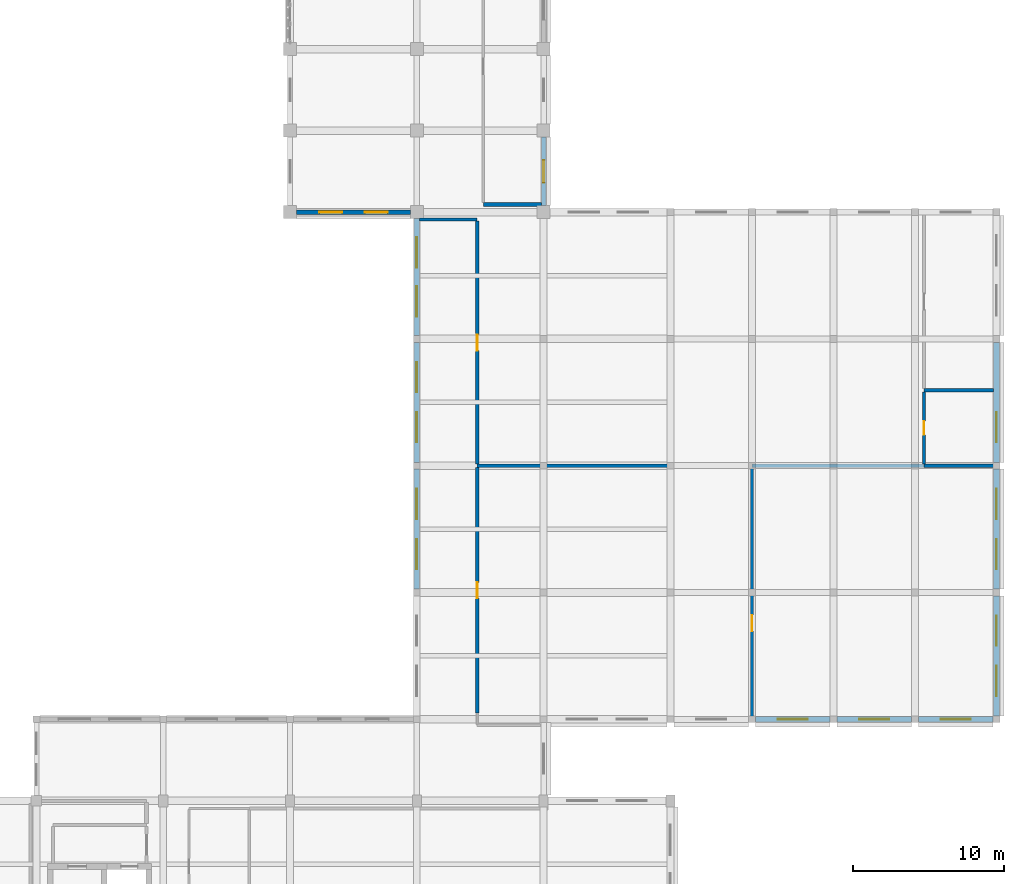
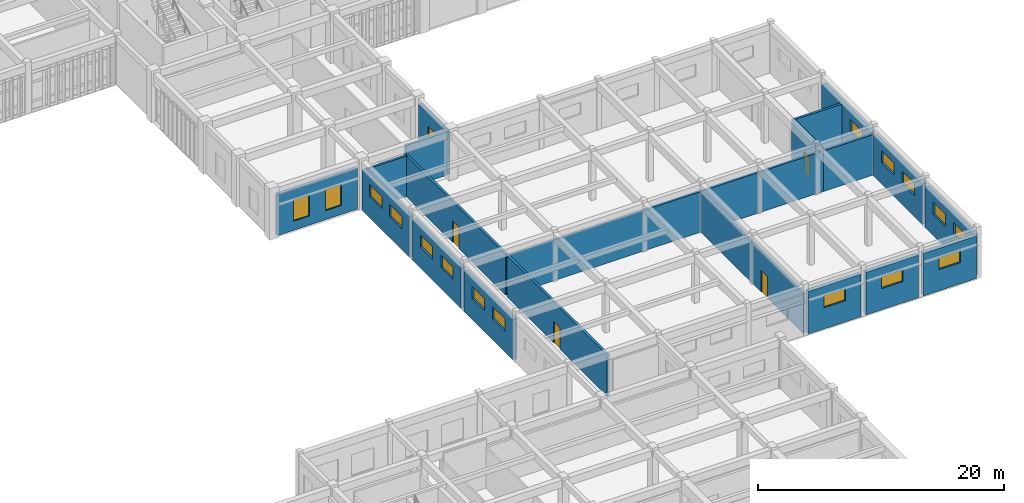
# One storey, part 94 of 106: 21 walls, 17 windows, 4 doors, 21 openings.
"""IFC4 building model written with IfcOpenShell, lengths in metres."""

from ifc_helpers import new_model, si_unit, direction, frame, frame_2d, origin, place, context, subcontext, project, spatial, rectangle, extrude, material, layer, layer_set, type_object, element, fill, save


model = new_model("IFC4")

# Units and contexts
model_context = context("Model", 3, precision=1e-05, world=origin(), true_north=direction((0.0, 1.0)))
body_context = subcontext(model_context, "Body", "Model", "MODEL_VIEW")
ifc_project = project(units=[si_unit("LENGTHUNIT", "METRE"), si_unit("AREAUNIT", "SQUARE_METRE"), si_unit("VOLUMEUNIT", "CUBIC_METRE"), si_unit("PLANEANGLEUNIT", "RADIAN"), si_unit("MASSUNIT", "GRAM", prefix="KILO")], contexts=[model_context])

# Site, building, storey
site_placement = place(None, origin())
site = spatial("IfcSite", under=ifc_project, at=site_placement, CompositionType="ELEMENT")
building_placement = place(site_placement, origin())
building = spatial("IfcBuilding", under=site, at=building_placement, Name="Krzemoval Escarpment Law Courts", CompositionType="ELEMENT")
storey_placement = place(building_placement, frame((0.0, 0.0, 5.10009765625)))
storey = spatial("IfcBuildingStorey", under=building, at=storey_placement, Name="L01", CompositionType="ELEMENT", Elevation=5.10009765625)

# Wall, opening, window
ifc_material_1 = material(Name="Precast concrete C40/50", Category="concrete")
ifc_layer_1 = layer(ifc_material_1, 0.300048828125)
ifc_layer_set_1 = layer_set([ifc_layer_1], Name="Precast concrete C40/50")
wall_type_1 = type_object("IfcWallType", Name="WL-EXT-300", PredefinedType="SOLIDWALL", material=ifc_layer_set_1)
wall_1_placement = place(storey_placement, frame((142.800048828125, 79.375, 0.0), z_axis=(0.0, 0.0, 1.0), x_axis=(0.0, -1.0, 0.0)))
wall_1 = element("IfcWall", 1, at=wall_1_placement, inside=storey, type_object=wall_type_1, Name="Exterior Wall EW-L01-0205", PredefinedType="SOLIDWALL", context=body_context, shape_type="SweptSolid", body=[
    extrude(rectangle(XDim=4.550048828125, YDim=0.300048828125, at=frame_2d((2.27490234375, 0.0))), origin(), (0.0, 0.0, 1.0), 4.27001953125),
])
opening_1_placement = place(wall_1_placement, frame((1.52490234375, 0.0, 0.89990234375)))
opening_1 = element("IfcOpeningElement", 2, at=opening_1_placement, cuts=wall_1, Name="Opening WN-L01-0197", PredefinedType="OPENING", context=body_context, shape_type="SweptSolid", body=[
    extrude(rectangle(XDim=1.5, YDim=2.10009765625, at=frame_2d((0.75, 1.050048828125))), frame((0.0, 0.16502, 0.0), z_axis=(0.0, -1.0, 0.0), x_axis=(1.0, 0.0, 0.0)), (0.0, 0.0, 1.0), 0.33005),
])
ifc_material_2 = material(Name="Thermally Broken Aluminium Frame with Triple Low-E Acoustic Glass", Category="aluminium")
window_type_1 = type_object("IfcWindowType", Name="WN-1500x2100", PartitioningType="SINGLE_PANEL", PredefinedType="WINDOW", material=ifc_material_2)
window_1_placement = place(opening_1_placement, origin())
window_1 = element("IfcWindow", 3, at=window_1_placement, inside=storey, type_object=window_type_1, Name="Facade Window WN-L01-0197", OverallHeight=2.10009765625, OverallWidth=1.5, PartitioningType="SINGLE_PANEL", PredefinedType="WINDOW", context=body_context, shape_type="SweptSolid", body=[
    extrude(rectangle(XDim=1.5, YDim=2.10009765625, at=frame_2d((0.75, 1.050048828125))), frame((0.0, 0.030029296875, 0.0), z_axis=(0.0, -1.0, 0.0), x_axis=(1.0, 0.0, 0.0)), (0.0, 0.0, 1.0), 0.06005859375),
])
fill(opening_1, window_1)

# Wall, openings, windows
wall_2_placement = place(storey_placement, frame((133.97509765625, 74.39990234375, 0.0), z_axis=(0.0, 0.0, 1.0), x_axis=(-1.0, 0.0, 0.0)))
wall_2 = element("IfcWall", 4, at=wall_2_placement, inside=storey, type_object=wall_type_1, Name="Exterior Wall EW-L01-0253", PredefinedType="SOLIDWALL", context=body_context, shape_type="SweptSolid", body=[
    extrude(rectangle(XDim=7.550048828125, YDim=0.300048828125, at=frame_2d((3.77490234375, 0.0))), origin(), (0.0, 0.0, 1.0), 4.06982421875),
])
opening_2_placement = place(wall_2_placement, frame((1.51708984375, 0.0, 0.89990234375)))
opening_2 = element("IfcOpeningElement", 5, at=opening_2_placement, cuts=wall_2, Name="Opening WN-L01-0269", PredefinedType="OPENING", context=body_context, shape_type="SweptSolid", body=[
    extrude(rectangle(XDim=1.5, YDim=2.10009765625, at=frame_2d((0.75, 1.050048828125))), frame((0.0, 0.16502, 0.0), z_axis=(0.0, -1.0, 0.0), x_axis=(1.0, 0.0, 0.0)), (0.0, 0.0, 1.0), 0.33005),
])
opening_3_placement = place(wall_2_placement, frame((4.532958984375, 0.0, 0.89990234375)))
opening_3 = element("IfcOpeningElement", 6, at=opening_3_placement, cuts=wall_2, Name="Opening WN-L01-0270", PredefinedType="OPENING", context=body_context, shape_type="SweptSolid", body=[
    extrude(rectangle(XDim=1.5, YDim=2.10009765625, at=frame_2d((0.75, 1.050048828125))), frame((0.0, 0.16502, 0.0), z_axis=(0.0, -1.0, 0.0), x_axis=(1.0, 0.0, 0.0)), (0.0, 0.0, 1.0), 0.33005),
])
window_2_placement = place(opening_2_placement, origin())
window_2 = element("IfcWindow", 7, at=window_2_placement, inside=storey, type_object=window_type_1, Name="Facade Window WN-L01-0269", OverallHeight=2.10009765625, OverallWidth=1.5, PartitioningType="SINGLE_PANEL", PredefinedType="WINDOW", context=body_context, shape_type="SweptSolid", body=[
    extrude(rectangle(XDim=1.5, YDim=2.10009765625, at=frame_2d((0.75, 1.050048828125))), frame((0.0, 0.030029296875, 0.0), z_axis=(0.0, -1.0, 0.0), x_axis=(1.0, 0.0, 0.0)), (0.0, 0.0, 1.0), 0.06005859375),
])
fill(opening_2, window_2)
window_3_placement = place(opening_3_placement, origin())
window_3 = element("IfcWindow", 8, at=window_3_placement, inside=storey, type_object=window_type_1, Name="Facade Window WN-L01-0270", OverallHeight=2.10009765625, OverallWidth=1.5, PartitioningType="SINGLE_PANEL", PredefinedType="WINDOW", context=body_context, shape_type="SweptSolid", body=[
    extrude(rectangle(XDim=1.5, YDim=2.10009765625, at=frame_2d((0.75, 1.050048828125))), frame((0.0, 0.030029296875, 0.0), z_axis=(0.0, -1.0, 0.0), x_axis=(1.0, 0.0, 0.0)), (0.0, 0.0, 1.0), 0.06005859375),
])
fill(opening_3, window_3)

# Wall, opening, window
ifc_material_3 = material(Name="Concrete C40/50", Category="concrete")
ifc_layer_2 = layer(ifc_material_3, 0.3798828125)
ifc_layer_set_2 = layer_set([ifc_layer_2], Name="Concrete C40/50")
wall_type_2 = type_object("IfcWallType", Name="WL-EXT-380", PredefinedType="SOLIDWALL", material=ifc_layer_set_2)
wall_3_placement = place(storey_placement, frame((172.800048828125, 65.77490234375, 0.0), z_axis=(0.0, 0.0, 1.0), x_axis=(0.0, -1.0, 0.0)))
wall_3 = element("IfcWall", 9, at=wall_3_placement, inside=storey, type_object=wall_type_2, Name="Exterior Wall EW-L01-0212", PredefinedType="SOLIDWALL", context=body_context, shape_type="SweptSolid", body=[
    extrude(rectangle(XDim=7.949951171875, YDim=0.3798828125, at=frame_2d((3.97509765625, 0.0))), origin(), (0.0, 0.0, 1.0), 4.02001953125),
])
opening_4_placement = place(wall_3_placement, frame((4.633056640625, 0.0, 2.10009765625)))
opening_4 = element("IfcOpeningElement", 10, at=opening_4_placement, cuts=wall_3, Name="Opening WN-L01-0206", PredefinedType="OPENING", context=body_context, shape_type="SweptSolid", body=[
    extrude(rectangle(XDim=2.0, YDim=1.199951171875, at=frame_2d((1.0, 0.60009765625))), frame((0.0, 0.20494, 0.0), z_axis=(0.0, -1.0, 0.0), x_axis=(1.0, 0.0, 0.0)), (0.0, 0.0, 1.0), 0.40988),
])
ifc_material_4 = material(Name="Thermally Broken Aluminium Frame with Triple Low-E Acoustic Glass", Category="aluminium")
window_type_2 = type_object("IfcWindowType", Name="WN-2000x1200", PartitioningType="SINGLE_PANEL", PredefinedType="WINDOW", material=ifc_material_4)
window_4_placement = place(opening_4_placement, origin())
window_4 = element("IfcWindow", 11, at=window_4_placement, inside=storey, type_object=window_type_2, Name="Facade Window WN-L01-0206", OverallHeight=1.199951171875, OverallWidth=2.0, PartitioningType="SINGLE_PANEL", PredefinedType="WINDOW", context=body_context, shape_type="SweptSolid", body=[
    extrude(rectangle(XDim=2.0, YDim=1.199951171875, at=frame_2d((1.0, 0.60009765625))), frame((0.0, 0.030029296875, 0.0), z_axis=(0.0, -1.0, 0.0), x_axis=(1.0, 0.0, 0.0)), (0.0, 0.0, 1.0), 0.06005859375),
])
fill(opening_4, window_4)

# Wall, openings, windows
wall_4_placement = place(storey_placement, frame((172.800048828125, 57.375, 0.0), z_axis=(0.0, 0.0, 1.0), x_axis=(0.0, -1.0, 0.0)))
wall_4 = element("IfcWall", 12, at=wall_4_placement, inside=storey, type_object=wall_type_2, Name="Exterior Wall EW-L01-0213", PredefinedType="SOLIDWALL", context=body_context, shape_type="SweptSolid", body=[
    extrude(rectangle(XDim=7.949951171875, YDim=0.3798828125, at=frame_2d((3.97509765625, 0.0))), origin(), (0.0, 0.0, 1.0), 4.02001953125),
])
opening_5_placement = place(wall_4_placement, frame((1.31689453125, 0.0, 2.10009765625)))
opening_5 = element("IfcOpeningElement", 13, at=opening_5_placement, cuts=wall_4, Name="Opening WN-L01-0207", PredefinedType="OPENING", context=body_context, shape_type="SweptSolid", body=[
    extrude(rectangle(XDim=2.0, YDim=1.199951171875, at=frame_2d((1.0, 0.60009765625))), frame((0.0, 0.20494, 0.0), z_axis=(0.0, -1.0, 0.0), x_axis=(1.0, 0.0, 0.0)), (0.0, 0.0, 1.0), 0.40988),
])
opening_6_placement = place(wall_4_placement, frame((4.633056640625, 0.0, 2.10009765625)))
opening_6 = element("IfcOpeningElement", 14, at=opening_6_placement, cuts=wall_4, Name="Opening WN-L01-0208", PredefinedType="OPENING", context=body_context, shape_type="SweptSolid", body=[
    extrude(rectangle(XDim=2.0, YDim=1.199951171875, at=frame_2d((1.0, 0.60009765625))), frame((0.0, 0.20494, 0.0), z_axis=(0.0, -1.0, 0.0), x_axis=(1.0, 0.0, 0.0)), (0.0, 0.0, 1.0), 0.40988),
])
window_5_placement = place(opening_5_placement, origin())
window_5 = element("IfcWindow", 15, at=window_5_placement, inside=storey, type_object=window_type_2, Name="Facade Window WN-L01-0207", OverallHeight=1.199951171875, OverallWidth=2.0, PartitioningType="SINGLE_PANEL", PredefinedType="WINDOW", context=body_context, shape_type="SweptSolid", body=[
    extrude(rectangle(XDim=2.0, YDim=1.199951171875, at=frame_2d((1.0, 0.60009765625))), frame((0.0, 0.030029296875, 0.0), z_axis=(0.0, -1.0, 0.0), x_axis=(1.0, 0.0, 0.0)), (0.0, 0.0, 1.0), 0.06005859375),
])
fill(opening_5, window_5)
window_6_placement = place(opening_6_placement, origin())
window_6 = element("IfcWindow", 16, at=window_6_placement, inside=storey, type_object=window_type_2, Name="Facade Window WN-L01-0208", OverallHeight=1.199951171875, OverallWidth=2.0, PartitioningType="SINGLE_PANEL", PredefinedType="WINDOW", context=body_context, shape_type="SweptSolid", body=[
    extrude(rectangle(XDim=2.0, YDim=1.199951171875, at=frame_2d((1.0, 0.60009765625))), frame((0.0, 0.030029296875, 0.0), z_axis=(0.0, -1.0, 0.0), x_axis=(1.0, 0.0, 0.0)), (0.0, 0.0, 1.0), 0.06005859375),
])
fill(opening_6, window_6)

wall_5_placement = place(storey_placement, frame((172.800048828125, 48.97509765625, 0.0), z_axis=(0.0, 0.0, 1.0), x_axis=(0.0, -1.0, 0.0)))
wall_5 = element("IfcWall", 17, at=wall_5_placement, inside=storey, type_object=wall_type_2, Name="Exterior Wall EW-L01-0214", PredefinedType="SOLIDWALL", context=body_context, shape_type="SweptSolid", body=[
    extrude(rectangle(XDim=7.9501953125, YDim=0.3798828125, at=frame_2d((3.97509765625, 0.0))), origin(), (0.0, 0.0, 1.0), 4.02001953125),
])
opening_7_placement = place(wall_5_placement, frame((1.31689453125, 0.0, 2.10009765625)))
opening_7 = element("IfcOpeningElement", 18, at=opening_7_placement, cuts=wall_5, Name="Opening WN-L01-0209", PredefinedType="OPENING", context=body_context, shape_type="SweptSolid", body=[
    extrude(rectangle(XDim=2.0, YDim=1.199951171875, at=frame_2d((1.0, 0.60009765625))), frame((0.0, 0.20494, 0.0), z_axis=(0.0, -1.0, 0.0), x_axis=(1.0, 0.0, 0.0)), (0.0, 0.0, 1.0), 0.40988),
])
opening_8_placement = place(wall_5_placement, frame((4.633056640625, 0.0, 2.10009765625)))
opening_8 = element("IfcOpeningElement", 19, at=opening_8_placement, cuts=wall_5, Name="Opening WN-L01-0210", PredefinedType="OPENING", context=body_context, shape_type="SweptSolid", body=[
    extrude(rectangle(XDim=2.0, YDim=1.199951171875, at=frame_2d((1.0, 0.60009765625))), frame((0.0, 0.20494, 0.0), z_axis=(0.0, -1.0, 0.0), x_axis=(1.0, 0.0, 0.0)), (0.0, 0.0, 1.0), 0.40988),
])
window_7_placement = place(opening_7_placement, origin())
window_7 = element("IfcWindow", 20, at=window_7_placement, inside=storey, type_object=window_type_2, Name="Facade Window WN-L01-0209", OverallHeight=1.199951171875, OverallWidth=2.0, PartitioningType="SINGLE_PANEL", PredefinedType="WINDOW", context=body_context, shape_type="SweptSolid", body=[
    extrude(rectangle(XDim=2.0, YDim=1.199951171875, at=frame_2d((1.0, 0.60009765625))), frame((0.0, 0.030029296875, 0.0), z_axis=(0.0, -1.0, 0.0), x_axis=(1.0, 0.0, 0.0)), (0.0, 0.0, 1.0), 0.06005859375),
])
fill(opening_7, window_7)
window_8_placement = place(opening_8_placement, origin())
window_8 = element("IfcWindow", 21, at=window_8_placement, inside=storey, type_object=window_type_2, Name="Facade Window WN-L01-0210", OverallHeight=1.199951171875, OverallWidth=2.0, PartitioningType="SINGLE_PANEL", PredefinedType="WINDOW", context=body_context, shape_type="SweptSolid", body=[
    extrude(rectangle(XDim=2.0, YDim=1.199951171875, at=frame_2d((1.0, 0.60009765625))), frame((0.0, 0.030029296875, 0.0), z_axis=(0.0, -1.0, 0.0), x_axis=(1.0, 0.0, 0.0)), (0.0, 0.0, 1.0), 0.06005859375),
])
fill(opening_8, window_8)

# Wall, opening, window
wall_6_placement = place(storey_placement, frame((172.574951171875, 40.800048828125, 0.0), z_axis=(0.0, 0.0, 1.0), x_axis=(-1.0, 0.0, 0.0)))
wall_6 = element("IfcWall", 22, at=wall_6_placement, inside=storey, type_object=wall_type_2, Name="Exterior Wall EW-L01-0215", PredefinedType="SOLIDWALL", context=body_context, shape_type="SweptSolid", body=[
    extrude(rectangle(XDim=4.949951171875, YDim=0.3798828125, at=frame_2d((2.47509765625, 0.0))), origin(), (0.0, 0.0, 1.0), 4.219970703125),
])
opening_9_placement = place(wall_6_placement, frame((1.47509765625, 0.0, 2.10009765625)))
opening_9 = element("IfcOpeningElement", 23, at=opening_9_placement, cuts=wall_6, Name="Opening WN-L01-0211", PredefinedType="OPENING", context=body_context, shape_type="SweptSolid", body=[
    extrude(rectangle(XDim=2.0, YDim=1.199951171875, at=frame_2d((1.0, 0.60009765625))), frame((0.0, 0.20494, 0.0), z_axis=(0.0, -1.0, 0.0), x_axis=(1.0, 0.0, 0.0)), (0.0, 0.0, 1.0), 0.40988),
])
window_9_placement = place(opening_9_placement, origin())
window_9 = element("IfcWindow", 24, at=window_9_placement, inside=storey, type_object=window_type_2, Name="Facade Window WN-L01-0211", OverallHeight=1.199951171875, OverallWidth=2.0, PartitioningType="SINGLE_PANEL", PredefinedType="WINDOW", context=body_context, shape_type="SweptSolid", body=[
    extrude(rectangle(XDim=2.0, YDim=1.199951171875, at=frame_2d((1.0, 0.60009765625))), frame((0.0, 0.030029296875, 0.0), z_axis=(0.0, -1.0, 0.0), x_axis=(1.0, 0.0, 0.0)), (0.0, 0.0, 1.0), 0.06005859375),
])
fill(opening_9, window_9)

wall_7_placement = place(storey_placement, frame((167.175048828125, 40.800048828125, 0.0), z_axis=(0.0, 0.0, 1.0), x_axis=(-1.0, 0.0, 0.0)))
wall_7 = element("IfcWall", 25, at=wall_7_placement, inside=storey, type_object=wall_type_2, Name="Exterior Wall EW-L01-0216", PredefinedType="SOLIDWALL", context=body_context, shape_type="SweptSolid", body=[
    extrude(rectangle(XDim=4.949951171875, YDim=0.3798828125, at=frame_2d((2.47509765625, 0.0))), origin(), (0.0, 0.0, 1.0), 4.219970703125),
])
opening_10_placement = place(wall_7_placement, frame((1.47509765625, 0.0, 2.10009765625)))
opening_10 = element("IfcOpeningElement", 26, at=opening_10_placement, cuts=wall_7, Name="Opening WN-L01-0212", PredefinedType="OPENING", context=body_context, shape_type="SweptSolid", body=[
    extrude(rectangle(XDim=2.0, YDim=1.199951171875, at=frame_2d((1.0, 0.60009765625))), frame((0.0, 0.20494, 0.0), z_axis=(0.0, -1.0, 0.0), x_axis=(1.0, 0.0, 0.0)), (0.0, 0.0, 1.0), 0.40988),
])
window_10_placement = place(opening_10_placement, origin())
window_10 = element("IfcWindow", 27, at=window_10_placement, inside=storey, type_object=window_type_2, Name="Facade Window WN-L01-0212", OverallHeight=1.199951171875, OverallWidth=2.0, PartitioningType="SINGLE_PANEL", PredefinedType="WINDOW", context=body_context, shape_type="SweptSolid", body=[
    extrude(rectangle(XDim=2.0, YDim=1.199951171875, at=frame_2d((1.0, 0.60009765625))), frame((0.0, 0.030029296875, 0.0), z_axis=(0.0, -1.0, 0.0), x_axis=(1.0, 0.0, 0.0)), (0.0, 0.0, 1.0), 0.06005859375),
])
fill(opening_10, window_10)

wall_8_placement = place(storey_placement, frame((161.77490234375, 40.800048828125, 0.0), z_axis=(0.0, 0.0, 1.0), x_axis=(-1.0, 0.0, 0.0)))
wall_8 = element("IfcWall", 28, at=wall_8_placement, inside=storey, type_object=wall_type_2, Name="Exterior Wall EW-L01-0217", PredefinedType="SOLIDWALL", context=body_context, shape_type="SweptSolid", body=[
    extrude(rectangle(XDim=4.949951171875, YDim=0.3798828125, at=frame_2d((2.47509765625, 0.0))), origin(), (0.0, 0.0, 1.0), 4.219970703125),
])
opening_11_placement = place(wall_8_placement, frame((1.47509765625, 0.0, 2.10009765625)))
opening_11 = element("IfcOpeningElement", 29, at=opening_11_placement, cuts=wall_8, Name="Opening WN-L01-0213", PredefinedType="OPENING", context=body_context, shape_type="SweptSolid", body=[
    extrude(rectangle(XDim=2.0, YDim=1.199951171875, at=frame_2d((1.0, 0.60009765625))), frame((0.0, 0.20494, 0.0), z_axis=(0.0, -1.0, 0.0), x_axis=(1.0, 0.0, 0.0)), (0.0, 0.0, 1.0), 0.40988),
])
window_11_placement = place(opening_11_placement, origin())
window_11 = element("IfcWindow", 30, at=window_11_placement, inside=storey, type_object=window_type_2, Name="Facade Window WN-L01-0213", OverallHeight=1.199951171875, OverallWidth=2.0, PartitioningType="SINGLE_PANEL", PredefinedType="WINDOW", context=body_context, shape_type="SweptSolid", body=[
    extrude(rectangle(XDim=2.0, YDim=1.199951171875, at=frame_2d((1.0, 0.60009765625))), frame((0.0, 0.030029296875, 0.0), z_axis=(0.0, -1.0, 0.0), x_axis=(1.0, 0.0, 0.0)), (0.0, 0.0, 1.0), 0.06005859375),
])
fill(opening_11, window_11)

# Wall, openings, windows
wall_9_placement = place(storey_placement, frame((134.39990234375, 49.425048828125, 0.0), z_axis=(0.0, 0.0, 1.0), x_axis=(0.0, 1.0, 0.0)))
wall_9 = element("IfcWall", 31, at=wall_9_placement, inside=storey, type_object=wall_type_2, Name="Exterior Wall EW-L01-0250", PredefinedType="SOLIDWALL", context=body_context, shape_type="SweptSolid", body=[
    extrude(rectangle(XDim=7.949951171875, YDim=0.3798828125, at=frame_2d((3.97509765625, 0.0))), origin(), (0.0, 0.0, 1.0), 4.02001953125),
])
opening_12_placement = place(wall_9_placement, frame((1.31689453125, 0.0, 2.10009765625)))
opening_12 = element("IfcOpeningElement", 32, at=opening_12_placement, cuts=wall_9, Name="Opening WN-L01-0263", PredefinedType="OPENING", context=body_context, shape_type="SweptSolid", body=[
    extrude(rectangle(XDim=2.0, YDim=1.199951171875, at=frame_2d((1.0, 0.60009765625))), frame((0.0, 0.20494, 0.0), z_axis=(0.0, -1.0, 0.0), x_axis=(1.0, 0.0, 0.0)), (0.0, 0.0, 1.0), 0.40988),
])
opening_13_placement = place(wall_9_placement, frame((4.633056640625, 0.0, 2.10009765625)))
opening_13 = element("IfcOpeningElement", 33, at=opening_13_placement, cuts=wall_9, Name="Opening WN-L01-0264", PredefinedType="OPENING", context=body_context, shape_type="SweptSolid", body=[
    extrude(rectangle(XDim=2.0, YDim=1.199951171875, at=frame_2d((1.0, 0.60009765625))), frame((0.0, 0.20494, 0.0), z_axis=(0.0, -1.0, 0.0), x_axis=(1.0, 0.0, 0.0)), (0.0, 0.0, 1.0), 0.40988),
])
window_12_placement = place(opening_12_placement, origin())
window_12 = element("IfcWindow", 34, at=window_12_placement, inside=storey, type_object=window_type_2, Name="Facade Window WN-L01-0263", OverallHeight=1.199951171875, OverallWidth=2.0, PartitioningType="SINGLE_PANEL", PredefinedType="WINDOW", context=body_context, shape_type="SweptSolid", body=[
    extrude(rectangle(XDim=2.0, YDim=1.199951171875, at=frame_2d((1.0, 0.60009765625))), frame((0.0, 0.030029296875, 0.0), z_axis=(0.0, -1.0, 0.0), x_axis=(1.0, 0.0, 0.0)), (0.0, 0.0, 1.0), 0.06005859375),
])
fill(opening_12, window_12)
window_13_placement = place(opening_13_placement, origin())
window_13 = element("IfcWindow", 35, at=window_13_placement, inside=storey, type_object=window_type_2, Name="Facade Window WN-L01-0264", OverallHeight=1.199951171875, OverallWidth=2.0, PartitioningType="SINGLE_PANEL", PredefinedType="WINDOW", context=body_context, shape_type="SweptSolid", body=[
    extrude(rectangle(XDim=2.0, YDim=1.199951171875, at=frame_2d((1.0, 0.60009765625))), frame((0.0, 0.030029296875, 0.0), z_axis=(0.0, -1.0, 0.0), x_axis=(1.0, 0.0, 0.0)), (0.0, 0.0, 1.0), 0.06005859375),
])
fill(opening_13, window_13)

wall_10_placement = place(storey_placement, frame((134.39990234375, 57.824951171875, 0.0), z_axis=(0.0, 0.0, 1.0), x_axis=(0.0, 1.0, 0.0)))
wall_10 = element("IfcWall", 36, at=wall_10_placement, inside=storey, type_object=wall_type_2, Name="Exterior Wall EW-L01-0251", PredefinedType="SOLIDWALL", context=body_context, shape_type="SweptSolid", body=[
    extrude(rectangle(XDim=7.949951171875, YDim=0.3798828125, at=frame_2d((3.97509765625, 0.0))), origin(), (0.0, 0.0, 1.0), 4.02001953125),
])
opening_14_placement = place(wall_10_placement, frame((1.31689453125, 0.0, 2.10009765625)))
opening_14 = element("IfcOpeningElement", 37, at=opening_14_placement, cuts=wall_10, Name="Opening WN-L01-0265", PredefinedType="OPENING", context=body_context, shape_type="SweptSolid", body=[
    extrude(rectangle(XDim=2.0, YDim=1.199951171875, at=frame_2d((1.0, 0.60009765625))), frame((0.0, 0.20494, 0.0), z_axis=(0.0, -1.0, 0.0), x_axis=(1.0, 0.0, 0.0)), (0.0, 0.0, 1.0), 0.40988),
])
opening_15_placement = place(wall_10_placement, frame((4.633056640625, 0.0, 2.10009765625)))
opening_15 = element("IfcOpeningElement", 38, at=opening_15_placement, cuts=wall_10, Name="Opening WN-L01-0266", PredefinedType="OPENING", context=body_context, shape_type="SweptSolid", body=[
    extrude(rectangle(XDim=2.0, YDim=1.199951171875, at=frame_2d((1.0, 0.60009765625))), frame((0.0, 0.20494, 0.0), z_axis=(0.0, -1.0, 0.0), x_axis=(1.0, 0.0, 0.0)), (0.0, 0.0, 1.0), 0.40988),
])
window_14_placement = place(opening_14_placement, origin())
window_14 = element("IfcWindow", 39, at=window_14_placement, inside=storey, type_object=window_type_2, Name="Facade Window WN-L01-0265", OverallHeight=1.199951171875, OverallWidth=2.0, PartitioningType="SINGLE_PANEL", PredefinedType="WINDOW", context=body_context, shape_type="SweptSolid", body=[
    extrude(rectangle(XDim=2.0, YDim=1.199951171875, at=frame_2d((1.0, 0.60009765625))), frame((0.0, 0.030029296875, 0.0), z_axis=(0.0, -1.0, 0.0), x_axis=(1.0, 0.0, 0.0)), (0.0, 0.0, 1.0), 0.06005859375),
])
fill(opening_14, window_14)
window_15_placement = place(opening_15_placement, origin())
window_15 = element("IfcWindow", 40, at=window_15_placement, inside=storey, type_object=window_type_2, Name="Facade Window WN-L01-0266", OverallHeight=1.199951171875, OverallWidth=2.0, PartitioningType="SINGLE_PANEL", PredefinedType="WINDOW", context=body_context, shape_type="SweptSolid", body=[
    extrude(rectangle(XDim=2.0, YDim=1.199951171875, at=frame_2d((1.0, 0.60009765625))), frame((0.0, 0.030029296875, 0.0), z_axis=(0.0, -1.0, 0.0), x_axis=(1.0, 0.0, 0.0)), (0.0, 0.0, 1.0), 0.06005859375),
])
fill(opening_15, window_15)

wall_11_placement = place(storey_placement, frame((134.39990234375, 66.22509765625, 0.0), z_axis=(0.0, 0.0, 1.0), x_axis=(0.0, 1.0, 0.0)))
wall_11 = element("IfcWall", 41, at=wall_11_placement, inside=storey, type_object=wall_type_2, Name="Exterior Wall EW-L01-0252", PredefinedType="SOLIDWALL", context=body_context, shape_type="SweptSolid", body=[
    extrude(rectangle(XDim=7.75, YDim=0.3798828125, at=frame_2d((3.875, 0.0))), origin(), (0.0, 0.0, 1.0), 4.02001953125),
])
opening_16_placement = place(wall_11_placement, frame((1.25, 0.0, 2.10009765625)))
opening_16 = element("IfcOpeningElement", 42, at=opening_16_placement, cuts=wall_11, Name="Opening WN-L01-0267", PredefinedType="OPENING", context=body_context, shape_type="SweptSolid", body=[
    extrude(rectangle(XDim=2.0, YDim=1.199951171875, at=frame_2d((1.0, 0.60009765625))), frame((0.0, 0.20494, 0.0), z_axis=(0.0, -1.0, 0.0), x_axis=(1.0, 0.0, 0.0)), (0.0, 0.0, 1.0), 0.40988),
])
opening_17_placement = place(wall_11_placement, frame((4.5, 0.0, 2.10009765625)))
opening_17 = element("IfcOpeningElement", 43, at=opening_17_placement, cuts=wall_11, Name="Opening WN-L01-0268", PredefinedType="OPENING", context=body_context, shape_type="SweptSolid", body=[
    extrude(rectangle(XDim=2.0, YDim=1.199951171875, at=frame_2d((1.0, 0.60009765625))), frame((0.0, 0.20494, 0.0), z_axis=(0.0, -1.0, 0.0), x_axis=(1.0, 0.0, 0.0)), (0.0, 0.0, 1.0), 0.40988),
])
window_16_placement = place(opening_16_placement, origin())
window_16 = element("IfcWindow", 44, at=window_16_placement, inside=storey, type_object=window_type_2, Name="Facade Window WN-L01-0267", OverallHeight=1.199951171875, OverallWidth=2.0, PartitioningType="SINGLE_PANEL", PredefinedType="WINDOW", context=body_context, shape_type="SweptSolid", body=[
    extrude(rectangle(XDim=2.0, YDim=1.199951171875, at=frame_2d((1.0, 0.60009765625))), frame((0.0, 0.030029296875, 0.0), z_axis=(0.0, -1.0, 0.0), x_axis=(1.0, 0.0, 0.0)), (0.0, 0.0, 1.0), 0.06005859375),
])
fill(opening_16, window_16)
window_17_placement = place(opening_17_placement, origin())
window_17 = element("IfcWindow", 45, at=window_17_placement, inside=storey, type_object=window_type_2, Name="Facade Window WN-L01-0268", OverallHeight=1.199951171875, OverallWidth=2.0, PartitioningType="SINGLE_PANEL", PredefinedType="WINDOW", context=body_context, shape_type="SweptSolid", body=[
    extrude(rectangle(XDim=2.0, YDim=1.199951171875, at=frame_2d((1.0, 0.60009765625))), frame((0.0, 0.030029296875, 0.0), z_axis=(0.0, -1.0, 0.0), x_axis=(1.0, 0.0, 0.0)), (0.0, 0.0, 1.0), 0.06005859375),
])
fill(opening_17, window_17)

# Walls
ifc_material_5 = material(Name="Fire-Rated Corridor Partition Wall", Category="gypsum")
ifc_layer_3 = layer(ifc_material_5, 0.199951171875)
ifc_layer_set_3 = layer_set([ifc_layer_3], Name="Fire-Rated Corridor Partition Wall")
wall_type_3 = type_object("IfcWallType", Name="WL-PRT-200", PredefinedType="PARTITIONING", material=ifc_layer_set_3)
wall_12_placement = place(storey_placement, frame((134.592041015625, 73.89990234375, 0.0), z_axis=(0.0, 0.0, 1.0), x_axis=(1.0, 0.0, 0.0)))
element("IfcWall", 46, at=wall_12_placement, inside=storey, type_object=wall_type_3, Name="Interior Partition PW-L01-0270", PredefinedType="PARTITIONING", context=body_context, shape_type="SweptSolid", body=[
    extrude(rectangle(XDim=3.807861328125, YDim=0.199951171875, at=frame_2d((1.90380859375, 0.0))), origin(), (0.0, 0.0, 1.0), 4.02001953125),
])
ifc_material_6 = material(Name="Solid Calcium-Silicate Custody Blockwork Partition", Category="masonry")
ifc_layer_4 = layer(ifc_material_6, 0.219970703125)
ifc_layer_set_4 = layer_set([ifc_layer_4], Name="Solid Calcium-Silicate Custody Blockwork Partition")
wall_type_4 = type_object("IfcWallType", Name="WL-PRT-220", PredefinedType="PARTITIONING", material=ifc_layer_set_4)
wall_13_placement = place(storey_placement, frame((138.39990234375, 57.60009765625, 0.0), z_axis=(0.0, 0.0, 1.0), x_axis=(1.0, 0.0, 0.0)))
element("IfcWall", 47, at=wall_13_placement, inside=storey, type_object=wall_type_4, Name="Interior Partition PW-L01-0265", PredefinedType="PARTITIONING", context=body_context, shape_type="SweptSolid", body=[
    extrude(rectangle(XDim=18.2001953125, YDim=0.219970703125, at=frame_2d((9.10009765625, 0.0))), origin(), (0.0, 0.0, 1.0), 4.02001953125),
])
wall_14_placement = place(storey_placement, frame((156.60009765625, 57.60009765625, 0.0), z_axis=(0.0, 0.0, 1.0), x_axis=(1.0, 0.0, 0.0)))
element("IfcWall", 48, at=wall_14_placement, inside=storey, type_object=wall_type_4, Name="Interior Partition PW-L01-0266", PredefinedType="PARTITIONING", context=body_context, shape_type="SweptSolid", body=[
    extrude(rectangle(XDim=11.39990234375, YDim=0.219970703125, at=frame_2d((5.699951171875, 0.0))), origin(), (0.0, 0.0, 1.0), 4.02001953125),
])
wall_15_placement = place(storey_placement, frame((168.0, 57.60009765625, 0.0), z_axis=(0.0, 0.0, 1.0), x_axis=(1.0, 0.0, 0.0)))
element("IfcWall", 49, at=wall_15_placement, inside=storey, type_object=wall_type_4, Name="Interior Partition PW-L01-0267", PredefinedType="PARTITIONING", context=body_context, shape_type="SweptSolid", body=[
    extrude(rectangle(XDim=4.740966796875, YDim=0.219970703125, at=frame_2d((2.37060546875, 0.0))), origin(), (0.0, 0.0, 1.0), 4.02001953125),
])
wall_16_placement = place(storey_placement, frame((168.0, 62.60009765625, 0.0), z_axis=(0.0, 0.0, 1.0), x_axis=(1.0, 0.0, 0.0)))
element("IfcWall", 50, at=wall_16_placement, inside=storey, type_object=wall_type_4, Name="Interior Partition PW-L01-0268", PredefinedType="PARTITIONING", context=body_context, shape_type="SweptSolid", body=[
    extrude(rectangle(XDim=4.60791015625, YDim=0.219970703125, at=frame_2d((2.303955078125, 0.0))), origin(), (0.0, 0.0, 1.0), 4.02001953125),
])

# Wall, opening, door
wall_17_placement = place(storey_placement, frame((138.39990234375, 41.199951171875, 0.0), z_axis=(0.0, 0.0, 1.0), x_axis=(0.0, 1.0, 0.0)))
wall_17 = element("IfcWall", 51, at=wall_17_placement, inside=storey, type_object=wall_type_4, Name="Interior Partition PW-L01-0354", PredefinedType="PARTITIONING", context=body_context, shape_type="SweptSolid", body=[
    extrude(rectangle(XDim=16.2880859375, YDim=0.219970703125, at=frame_2d((8.14404296875, 0.0))), origin(), (0.0, 0.0, 1.0), 4.06982421875),
])
opening_18_placement = place(wall_17_placement, frame((7.618896484375, 0.0, 0.0)))
opening_18 = element("IfcOpeningElement", 52, at=opening_18_placement, cuts=wall_17, Name="Opening D-L01-0117", PredefinedType="OPENING", context=body_context, shape_type="SweptSolid", body=[
    extrude(rectangle(XDim=1.050048828125, YDim=2.14990234375, at=frame_2d((0.52490234375, 1.074951171875))), frame((0.0, 0.12499, 0.0), z_axis=(0.0, -1.0, 0.0), x_axis=(1.0, 0.0, 0.0)), (0.0, 0.0, 1.0), 0.24997),
])
ifc_material_7 = material(Name="Galvanised Steel S355", Category="steel")
door_type_1 = type_object("IfcDoorType", Name="DR-CUS-1050x2150", OperationType="SINGLE_SWING_LEFT", PredefinedType="DOOR", material=ifc_material_7)
door_1_placement = place(opening_18_placement, origin())
door_1 = element("IfcDoor", 53, at=door_1_placement, inside=storey, type_object=door_type_1, Name="Room Door D-L01-0117", OperationType="SINGLE_SWING_RIGHT", OverallHeight=2.14990234375, OverallWidth=1.050048828125, PredefinedType="DOOR", context=body_context, shape_type="SweptSolid", body=[
    extrude(rectangle(XDim=1.050048828125, YDim=2.14990234375, at=frame_2d((0.52490234375, 1.074951171875))), frame((0.0, 0.02490234375, 0.0), z_axis=(0.0, -1.0, 0.0), x_axis=(1.0, 0.0, 0.0)), (0.0, 0.0, 1.0), 0.050048828125),
])
fill(opening_18, door_1)

wall_18_placement = place(storey_placement, frame((138.39990234375, 57.7119140625, 0.0), z_axis=(0.0, 0.0, 1.0), x_axis=(0.0, 1.0, 0.0)))
wall_18 = element("IfcWall", 54, at=wall_18_placement, inside=storey, type_object=wall_type_4, Name="Interior Partition PW-L01-0355", PredefinedType="PARTITIONING", context=body_context, shape_type="SweptSolid", body=[
    extrude(rectangle(XDim=16.086181640625, YDim=0.219970703125, at=frame_2d((8.04296875, 0.0))), origin(), (0.0, 0.0, 1.0), 4.06982421875),
])
opening_19_placement = place(wall_18_placement, frame((7.51806640625, 0.0, 0.0)))
opening_19 = element("IfcOpeningElement", 55, at=opening_19_placement, cuts=wall_18, Name="Opening D-L01-0119", PredefinedType="OPENING", context=body_context, shape_type="SweptSolid", body=[
    extrude(rectangle(XDim=1.050048828125, YDim=2.14990234375, at=frame_2d((0.52490234375, 1.074951171875))), frame((0.0, 0.12499, 0.0), z_axis=(0.0, -1.0, 0.0), x_axis=(1.0, 0.0, 0.0)), (0.0, 0.0, 1.0), 0.24997),
])
door_2_placement = place(opening_19_placement, origin())
door_2 = element("IfcDoor", 56, at=door_2_placement, inside=storey, type_object=door_type_1, Name="Room Door D-L01-0119", OperationType="SINGLE_SWING_RIGHT", OverallHeight=2.14990234375, OverallWidth=1.050048828125, PredefinedType="DOOR", context=body_context, shape_type="SweptSolid", body=[
    extrude(rectangle(XDim=1.050048828125, YDim=2.14990234375, at=frame_2d((0.52490234375, 1.074951171875))), frame((0.0, 0.02490234375, 0.0), z_axis=(0.0, -1.0, 0.0), x_axis=(1.0, 0.0, 0.0)), (0.0, 0.0, 1.0), 0.050048828125),
])
fill(opening_19, door_2)

wall_19_placement = place(storey_placement, frame((156.60009765625, 40.85302734375, 0.0), z_axis=(0.0, 0.0, 1.0), x_axis=(0.0, 1.0, 0.0)))
wall_19 = element("IfcWall", 57, at=wall_19_placement, inside=storey, type_object=wall_type_4, Name="Interior Partition PW-L01-0361", PredefinedType="PARTITIONING", context=body_context, shape_type="SweptSolid", body=[
    extrude(rectangle(XDim=16.635009765625, YDim=0.219970703125, at=frame_2d((8.3173828125, 0.0))), origin(), (0.0, 0.0, 1.0), 4.02001953125),
])
opening_20_placement = place(wall_19_placement, frame((5.7919921875, 0.0, 0.0)))
opening_20 = element("IfcOpeningElement", 58, at=opening_20_placement, cuts=wall_19, Name="Opening D-L01-0118", PredefinedType="OPENING", context=body_context, shape_type="SweptSolid", body=[
    extrude(rectangle(XDim=1.050048828125, YDim=2.14990234375, at=frame_2d((0.52490234375, 1.074951171875))), frame((0.0, 0.12499, 0.0), z_axis=(0.0, -1.0, 0.0), x_axis=(1.0, 0.0, 0.0)), (0.0, 0.0, 1.0), 0.24997),
])
door_3_placement = place(opening_20_placement, origin())
door_3 = element("IfcDoor", 59, at=door_3_placement, inside=storey, type_object=door_type_1, Name="Room Door D-L01-0118", OperationType="SINGLE_SWING_LEFT", OverallHeight=2.14990234375, OverallWidth=1.050048828125, PredefinedType="DOOR", context=body_context, shape_type="SweptSolid", body=[
    extrude(rectangle(XDim=1.050048828125, YDim=2.14990234375, at=frame_2d((0.52490234375, 1.074951171875))), frame((0.0, 0.02490234375, 0.0), z_axis=(0.0, -1.0, 0.0), x_axis=(1.0, 0.0, 0.0)), (0.0, 0.0, 1.0), 0.050048828125),
])
fill(opening_20, door_3)

wall_20_placement = place(storey_placement, frame((168.0, 57.7119140625, 0.0), z_axis=(0.0, 0.0, 1.0), x_axis=(0.0, 1.0, 0.0)))
wall_20 = element("IfcWall", 60, at=wall_20_placement, inside=storey, type_object=wall_type_4, Name="Interior Partition PW-L01-0362", PredefinedType="PARTITIONING", context=body_context, shape_type="SweptSolid", body=[
    extrude(rectangle(XDim=4.776123046875, YDim=0.219970703125, at=frame_2d((2.38818359375, 0.0))), origin(), (0.0, 0.0, 1.0), 4.219970703125),
])
opening_21_placement = place(wall_20_placement, frame((1.93798828125, 0.0, 0.0)))
opening_21 = element("IfcOpeningElement", 61, at=opening_21_placement, cuts=wall_20, Name="Opening D-L01-0120", PredefinedType="OPENING", context=body_context, shape_type="SweptSolid", body=[
    extrude(rectangle(XDim=0.89990234375, YDim=2.10009765625, at=frame_2d((0.449951171875, 1.050048828125))), frame((0.0, 0.12499, 0.0), z_axis=(0.0, -1.0, 0.0), x_axis=(1.0, 0.0, 0.0)), (0.0, 0.0, 1.0), 0.24997),
])
ifc_material_8 = material(Name="Engineered Solid-Core Oak Acoustic Timber", Category="wood")
door_type_2 = type_object("IfcDoorType", Name="DR-INT-900x2100", OperationType="SINGLE_SWING_LEFT", PredefinedType="DOOR", material=ifc_material_8)
door_4_placement = place(opening_21_placement, origin())
door_4 = element("IfcDoor", 62, at=door_4_placement, inside=storey, type_object=door_type_2, Name="Room Door D-L01-0120", OperationType="SINGLE_SWING_LEFT", OverallHeight=2.10009765625, OverallWidth=0.89990234375, PredefinedType="DOOR", context=body_context, shape_type="SweptSolid", body=[
    extrude(rectangle(XDim=0.89990234375, YDim=2.10009765625, at=frame_2d((0.449951171875, 1.050048828125))), frame((0.0, 0.02490234375, 0.0), z_axis=(0.0, -1.0, 0.0), x_axis=(1.0, 0.0, 0.0)), (0.0, 0.0, 1.0), 0.050048828125),
])
fill(opening_21, door_4)

# Wall
ifc_material_9 = material(Name="Acoustic Double-Stud Gypsum and Mineral Wool Wall", Category="gypsum")
ifc_layer_5 = layer(ifc_material_9, 0.260009765625)
ifc_layer_set_5 = layer_set([ifc_layer_5], Name="Acoustic Double-Stud Gypsum and Mineral Wool Wall")
wall_type_5 = type_object("IfcWallType", Name="WL-PRT-260", PredefinedType="PARTITIONING", material=ifc_layer_set_5)
wall_21_placement = place(storey_placement, frame((138.800048828125, 74.89990234375, 0.0), z_axis=(0.0, 0.0, 1.0), x_axis=(1.0, 0.0, 0.0)))
element("IfcWall", 63, at=wall_21_placement, inside=storey, type_object=wall_type_5, Name="Interior Partition PW-L01-0271", PredefinedType="PARTITIONING", context=body_context, shape_type="SweptSolid", body=[
    extrude(rectangle(XDim=3.847900390625, YDim=0.260009765625, at=frame_2d((1.923828125, 0.0))), origin(), (0.0, 0.0, 1.0), 4.27001953125),
])

save(model, "model.ifc")
